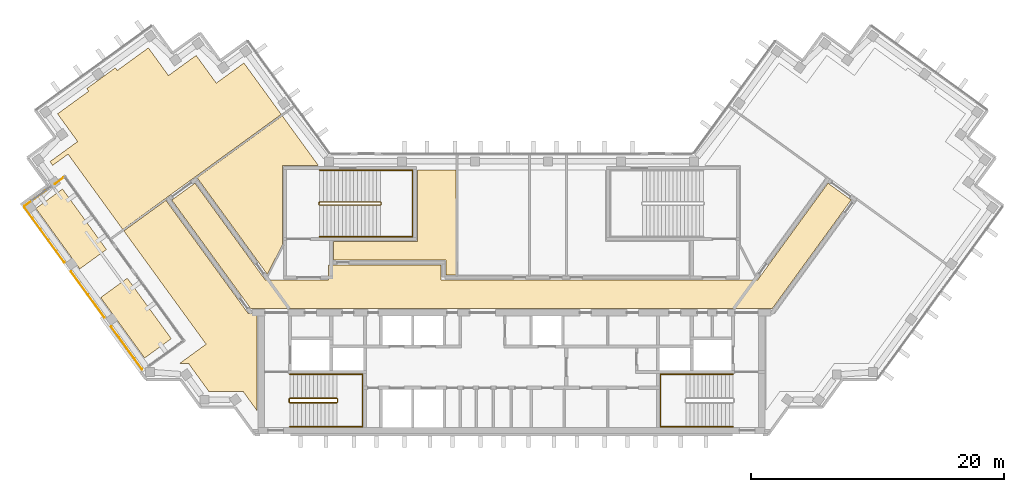
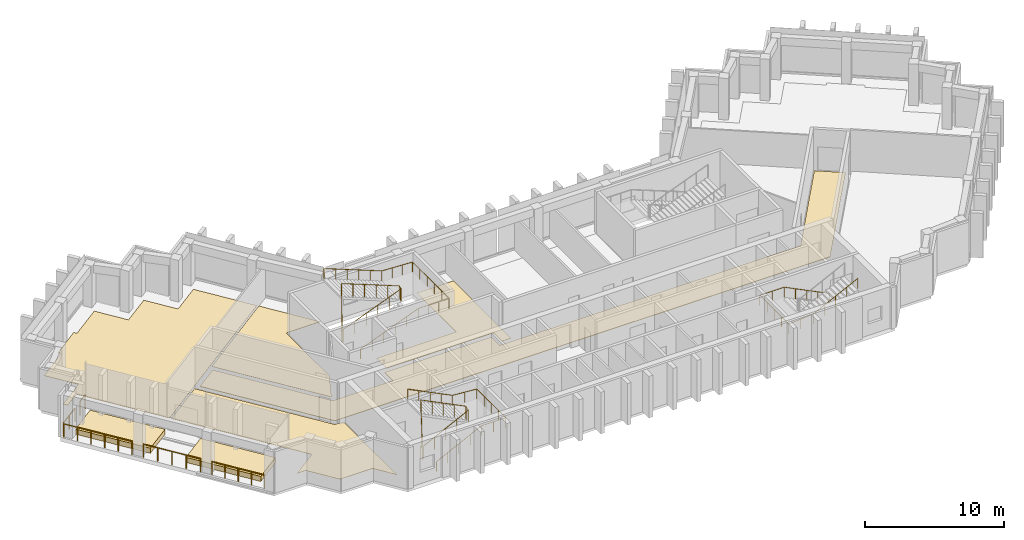
# One storey, part 9 of 10: 10 railings, 7 coverings.
"""IFC4 building model written with IfcOpenShell, lengths in metres."""

from ifc_helpers import new_model, si_unit, direction, frame, origin, origin_2d, place, context, subcontext, project, spatial, polyline, circle, outline, extrude, material, layer, layer_set, type_object, element, save


model = new_model("IFC4")

# Units and contexts
model_context = context("Model", 3, precision=1e-05, world=origin(), true_north=direction((0.0, 1.0)))
body_context = subcontext(model_context, "Body", "Model", "MODEL_VIEW")
ifc_project = project(units=[si_unit("LENGTHUNIT", "METRE"), si_unit("AREAUNIT", "SQUARE_METRE"), si_unit("VOLUMEUNIT", "CUBIC_METRE"), si_unit("PLANEANGLEUNIT", "RADIAN"), si_unit("MASSUNIT", "GRAM", prefix="KILO")], contexts=[model_context])

# Site, building, storey
site_placement = place(None, origin())
site = spatial("IfcSite", under=ifc_project, at=site_placement, CompositionType="ELEMENT")
building_placement = place(site_placement, origin())
building = spatial("IfcBuilding", under=site, at=building_placement, Name="Quipu Civic Tower", CompositionType="ELEMENT")
storey_placement = place(building_placement, frame((0.0, 0.0, 261.0)))
storey = spatial("IfcBuildingStorey", under=building, at=storey_placement, Name="L61", CompositionType="ELEMENT", Elevation=261.0)

# Coverings
ifc_material_1 = material(Name="Carpet tile on raised access floor")
ifc_layer_1 = layer(ifc_material_1, 0.02001953125)
ifc_layer_set_1 = layer_set([ifc_layer_1], Name="Carpet tile on raised access floor")
covering_type_1 = type_object("IfcCoveringType", Name="Carpet tile floor finish 20", PredefinedType="FLOORING", material=ifc_layer_set_1)
covering_1_placement = place(storey_placement, origin())
element("IfcCovering", 1, at=covering_1_placement, inside=storey, type_object=covering_type_1, Name="Carpet tile floor finish 20", PredefinedType="FLOORING", context=body_context, shape_type="SweptSolid", body=[
    extrude(outline(polyline([(-24.81201171875, 9.2109375), (-18.089111328125, 14.093994140625), (-15.238037109375, 10.169921875), (-18.070068359375, 10.1689453125), (-18.070068359375, 3.94189453125), (-19.27197265625, 1.583984375), (-24.81201171875, 9.2109375)])), origin(), (0.0, 0.0, 1.0), 0.02001953125),
])
covering_2_placement = place(storey_placement, origin())
element("IfcCovering", 2, at=covering_2_placement, inside=storey, type_object=covering_type_1, Name="Carpet tile floor finish 20", PredefinedType="FLOORING", context=body_context, shape_type="SweptSolid", body=[
    extrude(outline(polyline([(-36.425048828125, 10.47705078125), (-34.240966796875, 12.06396484375), (-35.826904296875, 14.248046875), (-33.3701171875, 16.032958984375), (-33.52197265625, 16.2451171875), (-31.27099609375, 17.8798828125), (-31.116943359375, 17.6708984375), (-28.658935546875, 19.455078125), (-27.073974609375, 17.27197265625), (-24.887939453125, 18.85791015625), (-23.301025390625, 16.675048828125), (-21.116943359375, 18.260986328125), (-18.172119140625, 14.20703125), (-30.679931640625, 5.12109375), (-34.998046875, 11.06591796875), (-36.212890625, 10.18603515625), (-36.425048828125, 10.47705078125)])), origin(), (0.0, 0.0, 1.0), 0.02001953125),
])
covering_3_placement = place(storey_placement, origin())
element("IfcCovering", 3, at=covering_3_placement, inside=storey, type_object=covering_type_1, Name="Carpet tile floor finish 20", PredefinedType="FLOORING", context=body_context, shape_type="SweptSolid", body=[
    extrude(outline(polyline([(-14.030029296875, 2.719970703125), (-14.030029296875, 4.179931640625), (-7.430908203125, 4.179931640625), (-7.429931640625, 9.830078125), (-4.388916015625, 9.830078125), (-4.388916015625, 1.52001953125), (-5.179931640625, 1.52001953125), (-5.181884765625, 2.719970703125), (-14.030029296875, 2.719970703125)])), origin(), (0.0, 0.0, 1.0), 0.02001953125),
])
covering_4_placement = place(storey_placement, origin())
element("IfcCovering", 4, at=covering_4_placement, inside=storey, type_object=covering_type_1, Name="Carpet tile floor finish 20", PredefinedType="FLOORING", context=body_context, shape_type="SweptSolid", body=[
    extrude(outline(polyline([(-30.596923828125, 5.008056640625), (-27.27197265625, 7.423095703125), (-20.77490234375, -1.51904296875), (-20.070068359375, -1.52001953125), (-20.070068359375, -9.195068359375), (-21.195068359375, -7.64599609375), (-23.89501953125, -7.64599609375), (-25.48193359375, -5.4619140625), (-26.20703125, -5.4609375), (-24.10302734375, -3.929931640625), (-30.596923828125, 5.008056640625)])), origin(), (0.0, 0.0, 1.0), 0.02001953125),
])
ifc_material_2 = material(Name="Planting soil on drainage board")
ifc_layer_2 = layer(ifc_material_2, 0.449951171875)
ifc_layer_set_2 = layer_set([ifc_layer_2], Name="Planting soil on drainage board")
covering_type_2 = type_object("IfcCoveringType", Name="Planted terrace build-up", PredefinedType="FLOORING", material=ifc_layer_set_2)
covering_5_placement = place(storey_placement, origin())
element("IfcCovering", 5, at=covering_5_placement, inside=storey, type_object=covering_type_2, Name="Planted terrace L61 bed 1", PredefinedType="FLOORING", context=body_context, shape_type="SweptSolid", body=[
    extrude(outline(polyline([(-37.5390625, 6.787109375), (-35.435546875, 8.315185546875), (-31.967529296875, 3.5419921875), (-34.071044921875, 2.013916015625), (-37.5390625, 6.787109375)])), origin(), (0.0, 0.0, 1.0), 0.449951171875),
])
covering_6_placement = place(storey_placement, origin())
element("IfcCovering", 6, at=covering_6_placement, inside=storey, type_object=covering_type_2, Name="Planted terrace L61 bed 2", PredefinedType="FLOORING", context=body_context, shape_type="SweptSolid", body=[
    extrude(outline(polyline([(-32.42529296875, -0.25146484375), (-30.32177734375, 1.27685546875), (-26.85400390625, -3.496337890625), (-28.957275390625, -5.024658203125), (-32.42529296875, -0.25146484375)])), origin(), (0.0, 0.0, 1.0), 0.449951171875),
])

# Railings
ifc_material_3 = material(Name="Stainless steel", Category="steel")
railing_type_1 = type_object("IfcRailingType", Name="Stair guard 1100", PredefinedType="GUARDRAIL", material=ifc_material_3)
railing_1_placement = place(storey_placement, frame((-17.5, -8.550048828125, 0.15380859375)))
element("IfcRailing", 7, at=railing_1_placement, inside=storey, type_object=railing_type_1, Name="Stair 1 guard", PredefinedType="GUARDRAIL", context=body_context, shape_type="SweptSolid", body=[
    extrude(circle(Radius=0.02392578125, at=origin_2d()), frame((0.0, 0.0, 1.076171875), z_axis=(0.895751851347, 0.0, 0.444554407028), x_axis=(0.0, 1.0, 0.0)), (0.0, 0.0, 1.0), 4.15283203125),
    extrude(circle(Radius=0.02392578125, at=origin_2d()), frame((3.719970703125, 0.0, 2.92236328125), z_axis=(0.707106781187, 0.707106781187, 0.0), x_axis=(-0.707106781187, 0.707106781187, 0.0)), (0.0, 0.0, 1.0), 0.07080078125),
    extrude(circle(Radius=0.02392578125, at=origin_2d()), frame((3.77001953125, 0.050048828125, 2.92236328125), z_axis=(0.0, 1.0, 0.0), x_axis=(-1.0, 0.0, 0.0)), (0.0, 0.0, 1.0), 0.25),
    extrude(circle(Radius=0.02392578125, at=origin_2d()), frame((3.77001953125, 0.300048828125, 2.92236328125), z_axis=(-0.295599637079, 0.295599637079, 0.908428152975), x_axis=(-0.707106781187, -0.707106781187, 0.0)), (0.0, 0.0, 1.0), 0.16943359375),
    extrude(circle(Radius=0.02392578125, at=origin_2d()), frame((3.719970703125, 0.35009765625, 3.076171875), z_axis=(-0.895751851347, 0.0, 0.444554407028), x_axis=(0.0, -1.0, 0.0)), (0.0, 0.0, 1.0), 4.15283203125),
    extrude(circle(Radius=0.02392578125, at=origin_2d()), frame((0.0, 0.35009765625, 4.92236328125), z_axis=(-0.012476181752, -0.074796231092, -0.997120789425), x_axis=(0.986372223864, -0.164529134168, 0.0)), (0.0, 0.0, 1.0), 4.011474609375),
    extrude(circle(Radius=0.02392578125, at=origin_2d()), frame((-0.050048828125, 0.050048828125, 0.92236328125), z_axis=(0.0, 1.0, 0.0), x_axis=(-1.0, 0.0, 0.0)), (0.0, 0.0, 1.0), 0.25),
    extrude(circle(Radius=0.02099609375, at=origin_2d()), origin(), (0.0, 0.0, 1.0), 1.052001953125),
    extrude(circle(Radius=0.02099609375, at=origin_2d()), frame((0.929931640625, 0.0, 0.46142578125)), (0.0, 0.0, 1.0), 1.052001953125),
    extrude(circle(Radius=0.02099609375, at=origin_2d()), frame((1.85986328125, 0.0, 0.923095703125)), (0.0, 0.0, 1.0), 1.052001953125),
    extrude(circle(Radius=0.02099609375, at=origin_2d()), frame((2.7900390625, 0.0, 1.384765625)), (0.0, 0.0, 1.0), 1.052001953125),
    extrude(circle(Radius=0.02099609375, at=origin_2d()), frame((3.719970703125, 0.0, 1.84619140625)), (0.0, 0.0, 1.0), 1.052001953125),
    extrude(circle(Radius=0.02099609375, at=origin_2d()), frame((3.77001953125, 0.050048828125, 1.84619140625)), (0.0, 0.0, 1.0), 1.052001953125),
    extrude(circle(Radius=0.02099609375, at=origin_2d()), frame((3.77001953125, 0.300048828125, 1.84619140625)), (0.0, 0.0, 1.0), 1.052001953125),
    extrude(circle(Radius=0.02099609375, at=origin_2d()), frame((3.719970703125, 0.35009765625, 2.0)), (0.0, 0.0, 1.0), 1.052001953125),
    extrude(circle(Radius=0.02099609375, at=origin_2d()), frame((2.7900390625, 0.35009765625, 2.46142578125)), (0.0, 0.0, 1.0), 1.052001953125),
    extrude(circle(Radius=0.02099609375, at=origin_2d()), frame((1.85986328125, 0.35009765625, 2.923095703125)), (0.0, 0.0, 1.0), 1.052001953125),
    extrude(circle(Radius=0.02099609375, at=origin_2d()), frame((0.929931640625, 0.35009765625, 3.384765625)), (0.0, 0.0, 1.0), 1.052001953125),
    extrude(circle(Radius=0.02099609375, at=origin_2d()), frame((0.0, 0.35009765625, 3.84619140625)), (0.0, 0.0, 1.0), 1.052001953125),
    extrude(circle(Radius=0.02099609375, at=origin_2d()), frame((-0.012451171875, 0.275146484375, 2.84619140625)), (0.0, 0.0, 1.0), 1.052001953125),
    extrude(circle(Radius=0.02099609375, at=origin_2d()), frame((-0.02490234375, 0.2001953125, 1.84619140625)), (0.0, 0.0, 1.0), 1.052001953125),
    extrude(circle(Radius=0.02099609375, at=origin_2d()), frame((-0.03759765625, 0.125, 0.84619140625)), (0.0, 0.0, 1.0), 1.052001953125),
    extrude(circle(Radius=0.02099609375, at=origin_2d()), frame((-0.050048828125, 0.050048828125, -0.15380859375)), (0.0, 0.0, 1.0), 1.052001953125),
    extrude(circle(Radius=0.02099609375, at=origin_2d()), frame((-0.050048828125, 0.300048828125, -0.15380859375)), (0.0, 0.0, 1.0), 1.052001953125),
])
railing_2_placement = place(storey_placement, frame((-15.14990234375, 7.050048828125, 0.11767578125)))
element("IfcRailing", 8, at=railing_2_placement, inside=storey, type_object=railing_type_1, Name="Stair 3 guard", PredefinedType="GUARDRAIL", context=body_context, shape_type="SweptSolid", body=[
    extrude(circle(Radius=0.02392578125, at=origin_2d()), frame((0.0, 0.0, 1.076171875), z_axis=(0.930970042603, 0.0, 0.365095576219), x_axis=(0.0, 1.0, 0.0)), (0.0, 0.0, 1.0), 5.15576171875),
    extrude(circle(Radius=0.02392578125, at=origin_2d()), frame((4.7998046875, 0.0, 2.95849609375), z_axis=(0.707106781187, 0.707106781187, 0.0), x_axis=(-0.707106781187, 0.707106781187, 0.0)), (0.0, 0.0, 1.0), 0.07080078125),
    extrude(circle(Radius=0.02392578125, at=origin_2d()), frame((4.849853515625, 0.050048828125, 2.95849609375), z_axis=(0.0, 1.0, 0.0), x_axis=(-1.0, 0.0, 0.0)), (0.0, 0.0, 1.0), 0.14990234375),
    extrude(circle(Radius=0.02392578125, at=origin_2d()), frame((4.849853515625, 0.199951171875, 2.95849609375), z_axis=(-0.364463019033, 0.364463019033, 0.856932561824), x_axis=(-0.707106781187, -0.707106781187, 0.0)), (0.0, 0.0, 1.0), 0.13720703125),
    extrude(circle(Radius=0.02392578125, at=origin_2d()), frame((4.7998046875, 0.25, 3.076171875), z_axis=(-0.930970042603, 0.0, 0.365095576219), x_axis=(0.0, -1.0, 0.0)), (0.0, 0.0, 1.0), 5.15576171875),
    extrude(circle(Radius=0.02392578125, at=origin_2d()), frame((0.0, 0.25, 4.95849609375), z_axis=(-0.012495627992, -0.049921557685, -0.998674970829), x_axis=(0.970072785993, -0.242814311512, 0.0)), (0.0, 0.0, 1.0), 4.00537109375),
    extrude(circle(Radius=0.02392578125, at=origin_2d()), frame((-0.050048828125, 0.050048828125, 0.95849609375), z_axis=(0.0, 1.0, 0.0), x_axis=(-1.0, 0.0, 0.0)), (0.0, 0.0, 1.0), 0.14990234375),
    extrude(circle(Radius=0.02099609375, at=origin_2d()), origin(), (0.0, 0.0, 1.0), 1.052001953125),
    extrude(circle(Radius=0.02099609375, at=origin_2d()), frame((0.9599609375, 0.0, 0.37646484375)), (0.0, 0.0, 1.0), 1.052001953125),
    extrude(circle(Radius=0.02099609375, at=origin_2d()), frame((1.919921875, 0.0, 0.7529296875)), (0.0, 0.0, 1.0), 1.052001953125),
    extrude(circle(Radius=0.02099609375, at=origin_2d()), frame((2.8798828125, 0.0, 1.12939453125)), (0.0, 0.0, 1.0), 1.052001953125),
    extrude(circle(Radius=0.02099609375, at=origin_2d()), frame((3.83984375, 0.0, 1.505859375)), (0.0, 0.0, 1.0), 1.052001953125),
    extrude(circle(Radius=0.02099609375, at=origin_2d()), frame((4.7998046875, 0.0, 1.88232421875)), (0.0, 0.0, 1.0), 1.052001953125),
    extrude(circle(Radius=0.02099609375, at=origin_2d()), frame((4.849853515625, 0.050048828125, 1.88232421875)), (0.0, 0.0, 1.0), 1.052001953125),
    extrude(circle(Radius=0.02099609375, at=origin_2d()), frame((4.849853515625, 0.199951171875, 1.88232421875)), (0.0, 0.0, 1.0), 1.052001953125),
    extrude(circle(Radius=0.02099609375, at=origin_2d()), frame((4.7998046875, 0.25, 2.0)), (0.0, 0.0, 1.0), 1.052001953125),
    extrude(circle(Radius=0.02099609375, at=origin_2d()), frame((3.83984375, 0.25, 2.37646484375)), (0.0, 0.0, 1.0), 1.052001953125),
    extrude(circle(Radius=0.02099609375, at=origin_2d()), frame((2.8798828125, 0.25, 2.7529296875)), (0.0, 0.0, 1.0), 1.052001953125),
    extrude(circle(Radius=0.02099609375, at=origin_2d()), frame((1.919921875, 0.25, 3.12939453125)), (0.0, 0.0, 1.0), 1.052001953125),
    extrude(circle(Radius=0.02099609375, at=origin_2d()), frame((0.9599609375, 0.25, 3.505859375)), (0.0, 0.0, 1.0), 1.052001953125),
    extrude(circle(Radius=0.02099609375, at=origin_2d()), frame((0.0, 0.25, 3.88232421875)), (0.0, 0.0, 1.0), 1.052001953125),
    extrude(circle(Radius=0.02099609375, at=origin_2d()), frame((-0.012451171875, 0.199951171875, 2.88232421875)), (0.0, 0.0, 1.0), 1.052001953125),
    extrude(circle(Radius=0.02099609375, at=origin_2d()), frame((-0.02490234375, 0.14990234375, 1.88232421875)), (0.0, 0.0, 1.0), 1.052001953125),
    extrude(circle(Radius=0.02099609375, at=origin_2d()), frame((-0.03759765625, 0.10009765625, 0.88232421875)), (0.0, 0.0, 1.0), 1.052001953125),
    extrude(circle(Radius=0.02099609375, at=origin_2d()), frame((-0.050048828125, 0.050048828125, -0.11767578125)), (0.0, 0.0, 1.0), 1.052001953125),
    extrude(circle(Radius=0.02099609375, at=origin_2d()), frame((-0.050048828125, 0.199951171875, -0.11767578125)), (0.0, 0.0, 1.0), 1.052001953125),
])
ifc_material_4 = material(Name="Stainless steel", Category="steel")
railing_type_2 = type_object("IfcRailingType", Name="Stair handrail", PredefinedType="HANDRAIL", material=ifc_material_4)
railing_3_placement = place(storey_placement, frame((-17.5, -10.449951171875, 0.15380859375)))
element("IfcRailing", 9, at=railing_3_placement, inside=storey, type_object=railing_type_2, Name="Stair 1 handrail", PredefinedType="HANDRAIL", context=body_context, shape_type="SweptSolid", body=[
    extrude(circle(Radius=0.02392578125, at=origin_2d()), frame((0.0, 0.0, 0.8759765625), z_axis=(0.895751851347, 0.0, 0.444554407028), x_axis=(0.0, 1.0, 0.0)), (0.0, 0.0, 1.0), 4.15283203125),
    extrude(circle(Radius=0.02392578125, at=origin_2d()), frame((3.719970703125, 0.0, 2.72216796875), z_axis=(1.0, 0.0, 0.0), x_axis=(0.0, 1.0, 0.0)), (0.0, 0.0, 1.0), 2.030029296875),
    extrude(circle(Radius=0.02392578125, at=origin_2d()), frame((5.75, 0.0, 2.72216796875), z_axis=(0.0, 1.0, 0.0), x_axis=(-1.0, 0.0, 0.0)), (0.0, 0.0, 1.0), 4.14990234375),
    extrude(circle(Radius=0.02392578125, at=origin_2d()), frame((5.75, 4.14990234375, 2.72216796875), z_axis=(-0.997142003663, 0.0, 0.075550145798), x_axis=(0.0, -1.0, 0.0)), (0.0, 0.0, 1.0), 2.035888671875),
    extrude(circle(Radius=0.02392578125, at=origin_2d()), frame((3.719970703125, 4.14990234375, 2.8759765625), z_axis=(-0.895751851347, 0.0, 0.444554407028), x_axis=(0.0, -1.0, 0.0)), (0.0, 0.0, 1.0), 4.15283203125),
    extrude(circle(Radius=0.02099609375, at=origin_2d()), origin(), (0.0, 0.0, 1.0), 0.851806640625),
    extrude(circle(Radius=0.02099609375, at=origin_2d()), frame((0.929931640625, 0.0, 0.46142578125)), (0.0, 0.0, 1.0), 0.851806640625),
    extrude(circle(Radius=0.02099609375, at=origin_2d()), frame((1.85986328125, 0.0, 0.923095703125)), (0.0, 0.0, 1.0), 0.851806640625),
    extrude(circle(Radius=0.02099609375, at=origin_2d()), frame((2.7900390625, 0.0, 1.384765625)), (0.0, 0.0, 1.0), 0.851806640625),
    extrude(circle(Radius=0.02099609375, at=origin_2d()), frame((3.719970703125, 0.0, 1.84619140625)), (0.0, 0.0, 1.0), 0.851806640625),
    extrude(circle(Radius=0.02099609375, at=origin_2d()), frame((4.73486328125, 0.0, 1.84619140625)), (0.0, 0.0, 1.0), 0.851806640625),
    extrude(circle(Radius=0.02099609375, at=origin_2d()), frame((5.75, 0.0, 1.84619140625)), (0.0, 0.0, 1.0), 0.851806640625),
    extrude(circle(Radius=0.02099609375, at=origin_2d()), frame((5.75, 1.03759765625, 1.84619140625)), (0.0, 0.0, 1.0), 0.851806640625),
    extrude(circle(Radius=0.02099609375, at=origin_2d()), frame((5.75, 2.074951171875, 1.84619140625)), (0.0, 0.0, 1.0), 0.851806640625),
    extrude(circle(Radius=0.02099609375, at=origin_2d()), frame((5.75, 3.1123046875, 1.84619140625)), (0.0, 0.0, 1.0), 0.851806640625),
    extrude(circle(Radius=0.02099609375, at=origin_2d()), frame((5.75, 4.14990234375, 1.84619140625)), (0.0, 0.0, 1.0), 0.851806640625),
    extrude(circle(Radius=0.02099609375, at=origin_2d()), frame((4.73486328125, 4.14990234375, 1.923095703125)), (0.0, 0.0, 1.0), 0.851806640625),
    extrude(circle(Radius=0.02099609375, at=origin_2d()), frame((3.719970703125, 4.14990234375, 2.0)), (0.0, 0.0, 1.0), 0.851806640625),
    extrude(circle(Radius=0.02099609375, at=origin_2d()), frame((2.7900390625, 4.14990234375, 2.46142578125)), (0.0, 0.0, 1.0), 0.851806640625),
    extrude(circle(Radius=0.02099609375, at=origin_2d()), frame((1.85986328125, 4.14990234375, 2.923095703125)), (0.0, 0.0, 1.0), 0.851806640625),
    extrude(circle(Radius=0.02099609375, at=origin_2d()), frame((0.929931640625, 4.14990234375, 3.384765625)), (0.0, 0.0, 1.0), 0.851806640625),
    extrude(circle(Radius=0.02099609375, at=origin_2d()), frame((0.0, 4.14990234375, 3.84619140625)), (0.0, 0.0, 1.0), 0.851806640625),
])
railing_4_placement = place(storey_placement, frame((17.5, -6.300048828125, 0.15380859375)))
element("IfcRailing", 10, at=railing_4_placement, inside=storey, type_object=railing_type_2, Name="Stair 2 handrail", PredefinedType="HANDRAIL", context=body_context, shape_type="SweptSolid", body=[
    extrude(circle(Radius=0.02392578125, at=origin_2d()), frame((0.0, 0.0, 0.8759765625), z_axis=(-0.895751851347, 0.0, 0.444554407028), x_axis=(0.0, -1.0, 0.0)), (0.0, 0.0, 1.0), 4.15283203125),
    extrude(circle(Radius=0.02392578125, at=origin_2d()), frame((-3.719970703125, 0.0, 2.72216796875), z_axis=(-1.0, 0.0, 0.0), x_axis=(0.0, -1.0, 0.0)), (0.0, 0.0, 1.0), 2.030029296875),
    extrude(circle(Radius=0.02392578125, at=origin_2d()), frame((-5.75, 0.0, 2.72216796875), z_axis=(0.0, -1.0, 0.0), x_axis=(1.0, 0.0, 0.0)), (0.0, 0.0, 1.0), 4.14990234375),
    extrude(circle(Radius=0.02392578125, at=origin_2d()), frame((-5.75, -4.14990234375, 2.72216796875), z_axis=(0.997142003663, 0.0, 0.075550145798), x_axis=(0.0, 1.0, 0.0)), (0.0, 0.0, 1.0), 2.035888671875),
    extrude(circle(Radius=0.02392578125, at=origin_2d()), frame((-3.719970703125, -4.14990234375, 2.8759765625), z_axis=(0.895751851347, 0.0, 0.444554407028), x_axis=(0.0, 1.0, 0.0)), (0.0, 0.0, 1.0), 4.15283203125),
    extrude(circle(Radius=0.02099609375, at=origin_2d()), origin(), (0.0, 0.0, 1.0), 0.851806640625),
    extrude(circle(Radius=0.02099609375, at=origin_2d()), frame((-0.929931640625, 0.0, 0.46142578125)), (0.0, 0.0, 1.0), 0.851806640625),
    extrude(circle(Radius=0.02099609375, at=origin_2d()), frame((-1.85986328125, 0.0, 0.923095703125)), (0.0, 0.0, 1.0), 0.851806640625),
    extrude(circle(Radius=0.02099609375, at=origin_2d()), frame((-2.7900390625, 0.0, 1.384765625)), (0.0, 0.0, 1.0), 0.851806640625),
    extrude(circle(Radius=0.02099609375, at=origin_2d()), frame((-3.719970703125, 0.0, 1.84619140625)), (0.0, 0.0, 1.0), 0.851806640625),
    extrude(circle(Radius=0.02099609375, at=origin_2d()), frame((-4.73486328125, 0.0, 1.84619140625)), (0.0, 0.0, 1.0), 0.851806640625),
    extrude(circle(Radius=0.02099609375, at=origin_2d()), frame((-5.75, 0.0, 1.84619140625)), (0.0, 0.0, 1.0), 0.851806640625),
    extrude(circle(Radius=0.02099609375, at=origin_2d()), frame((-5.75, -1.03759765625, 1.84619140625)), (0.0, 0.0, 1.0), 0.851806640625),
    extrude(circle(Radius=0.02099609375, at=origin_2d()), frame((-5.75, -2.074951171875, 1.84619140625)), (0.0, 0.0, 1.0), 0.851806640625),
    extrude(circle(Radius=0.02099609375, at=origin_2d()), frame((-5.75, -3.1123046875, 1.84619140625)), (0.0, 0.0, 1.0), 0.851806640625),
    extrude(circle(Radius=0.02099609375, at=origin_2d()), frame((-5.75, -4.14990234375, 1.84619140625)), (0.0, 0.0, 1.0), 0.851806640625),
    extrude(circle(Radius=0.02099609375, at=origin_2d()), frame((-4.73486328125, -4.14990234375, 1.923095703125)), (0.0, 0.0, 1.0), 0.851806640625),
    extrude(circle(Radius=0.02099609375, at=origin_2d()), frame((-3.719970703125, -4.14990234375, 2.0)), (0.0, 0.0, 1.0), 0.851806640625),
    extrude(circle(Radius=0.02099609375, at=origin_2d()), frame((-2.7900390625, -4.14990234375, 2.46142578125)), (0.0, 0.0, 1.0), 0.851806640625),
    extrude(circle(Radius=0.02099609375, at=origin_2d()), frame((-1.85986328125, -4.14990234375, 2.923095703125)), (0.0, 0.0, 1.0), 0.851806640625),
    extrude(circle(Radius=0.02099609375, at=origin_2d()), frame((-0.929931640625, -4.14990234375, 3.384765625)), (0.0, 0.0, 1.0), 0.851806640625),
    extrude(circle(Radius=0.02099609375, at=origin_2d()), frame((0.0, -4.14990234375, 3.84619140625)), (0.0, 0.0, 1.0), 0.851806640625),
])
railing_5_placement = place(storey_placement, frame((-15.14990234375, 4.550048828125, 0.11767578125)))
element("IfcRailing", 11, at=railing_5_placement, inside=storey, type_object=railing_type_2, Name="Stair 3 handrail", PredefinedType="HANDRAIL", context=body_context, shape_type="SweptSolid", body=[
    extrude(circle(Radius=0.02392578125, at=origin_2d()), frame((0.0, 0.0, 0.8759765625), z_axis=(0.930970042603, 0.0, 0.365095576219), x_axis=(0.0, 1.0, 0.0)), (0.0, 0.0, 1.0), 5.15576171875),
    extrude(circle(Radius=0.02392578125, at=origin_2d()), frame((4.7998046875, 0.0, 2.75830078125), z_axis=(1.0, 0.0, 0.0), x_axis=(0.0, 1.0, 0.0)), (0.0, 0.0, 1.0), 2.550048828125),
    extrude(circle(Radius=0.02392578125, at=origin_2d()), frame((7.349853515625, 0.0, 2.75830078125), z_axis=(0.0, 1.0, 0.0), x_axis=(-1.0, 0.0, 0.0)), (0.0, 0.0, 1.0), 5.25),
    extrude(circle(Radius=0.02392578125, at=origin_2d()), frame((7.349853515625, 5.25, 2.75830078125), z_axis=(-0.998936948642, 0.0, 0.04609742549), x_axis=(0.0, -1.0, 0.0)), (0.0, 0.0, 1.0), 2.552734375),
    extrude(circle(Radius=0.02392578125, at=origin_2d()), frame((4.7998046875, 5.25, 2.8759765625), z_axis=(-0.930970042603, 0.0, 0.365095576219), x_axis=(0.0, -1.0, 0.0)), (0.0, 0.0, 1.0), 5.15576171875),
    extrude(circle(Radius=0.02099609375, at=origin_2d()), origin(), (0.0, 0.0, 1.0), 0.851806640625),
    extrude(circle(Radius=0.02099609375, at=origin_2d()), frame((0.9599609375, 0.0, 0.37646484375)), (0.0, 0.0, 1.0), 0.851806640625),
    extrude(circle(Radius=0.02099609375, at=origin_2d()), frame((1.919921875, 0.0, 0.7529296875)), (0.0, 0.0, 1.0), 0.851806640625),
    extrude(circle(Radius=0.02099609375, at=origin_2d()), frame((2.8798828125, 0.0, 1.12939453125)), (0.0, 0.0, 1.0), 0.851806640625),
    extrude(circle(Radius=0.02099609375, at=origin_2d()), frame((3.83984375, 0.0, 1.505859375)), (0.0, 0.0, 1.0), 0.851806640625),
    extrude(circle(Radius=0.02099609375, at=origin_2d()), frame((4.7998046875, 0.0, 1.88232421875)), (0.0, 0.0, 1.0), 0.851806640625),
    extrude(circle(Radius=0.02099609375, at=origin_2d()), frame((5.64990234375, 0.0, 1.88232421875)), (0.0, 0.0, 1.0), 0.851806640625),
    extrude(circle(Radius=0.02099609375, at=origin_2d()), frame((6.499755859375, 0.0, 1.88232421875)), (0.0, 0.0, 1.0), 0.851806640625),
    extrude(circle(Radius=0.02099609375, at=origin_2d()), frame((7.349853515625, 0.0, 1.88232421875)), (0.0, 0.0, 1.0), 0.851806640625),
    extrude(circle(Radius=0.02099609375, at=origin_2d()), frame((7.349853515625, 1.050048828125, 1.88232421875)), (0.0, 0.0, 1.0), 0.851806640625),
    extrude(circle(Radius=0.02099609375, at=origin_2d()), frame((7.349853515625, 2.10009765625, 1.88232421875)), (0.0, 0.0, 1.0), 0.851806640625),
    extrude(circle(Radius=0.02099609375, at=origin_2d()), frame((7.349853515625, 3.14990234375, 1.88232421875)), (0.0, 0.0, 1.0), 0.851806640625),
    extrude(circle(Radius=0.02099609375, at=origin_2d()), frame((7.349853515625, 4.199951171875, 1.88232421875)), (0.0, 0.0, 1.0), 0.851806640625),
    extrude(circle(Radius=0.02099609375, at=origin_2d()), frame((7.349853515625, 5.25, 1.88232421875)), (0.0, 0.0, 1.0), 0.851806640625),
    extrude(circle(Radius=0.02099609375, at=origin_2d()), frame((6.499755859375, 5.25, 1.921630859375)), (0.0, 0.0, 1.0), 0.851806640625),
    extrude(circle(Radius=0.02099609375, at=origin_2d()), frame((5.64990234375, 5.25, 1.960693359375)), (0.0, 0.0, 1.0), 0.851806640625),
    extrude(circle(Radius=0.02099609375, at=origin_2d()), frame((4.7998046875, 5.25, 2.0)), (0.0, 0.0, 1.0), 0.851806640625),
    extrude(circle(Radius=0.02099609375, at=origin_2d()), frame((3.83984375, 5.25, 2.37646484375)), (0.0, 0.0, 1.0), 0.851806640625),
    extrude(circle(Radius=0.02099609375, at=origin_2d()), frame((2.8798828125, 5.25, 2.7529296875)), (0.0, 0.0, 1.0), 0.851806640625),
    extrude(circle(Radius=0.02099609375, at=origin_2d()), frame((1.919921875, 5.25, 3.12939453125)), (0.0, 0.0, 1.0), 0.851806640625),
    extrude(circle(Radius=0.02099609375, at=origin_2d()), frame((0.9599609375, 5.25, 3.505859375)), (0.0, 0.0, 1.0), 0.851806640625),
    extrude(circle(Radius=0.02099609375, at=origin_2d()), frame((0.0, 5.25, 3.88232421875)), (0.0, 0.0, 1.0), 0.851806640625),
])
ifc_material_5 = material(Name="Steel S275", Category="steel")
railing_type_3 = type_object("IfcRailingType", Name="Terrace guard G1", PredefinedType="GUARDRAIL", material=ifc_material_5)
railing_6_placement = place(storey_placement, frame((-35.349853515625, 9.218017578125, 0.0)))
element("IfcRailing", 12, at=railing_6_placement, inside=storey, type_object=railing_type_3, Name="Terrace guard L61.1", PredefinedType="GUARDRAIL", context=body_context, shape_type="SweptSolid", body=[
    extrude(circle(Radius=0.02490234375, at=origin_2d()), frame((0.0, 0.0, 1.1748046875), z_axis=(-0.809009310944, -0.587795827483, 0.0), x_axis=(0.587795827483, -0.809009310944, 0.0)), (0.0, 0.0, 1.0), 0.849853515625),
    extrude(circle(Radius=0.02490234375, at=origin_2d()), origin(), (0.0, 0.0, 1.0), 1.14990234375),
    extrude(circle(Radius=0.02490234375, at=origin_2d()), frame((-0.6875, -0.49951171875, 0.0)), (0.0, 0.0, 1.0), 1.14990234375),
])
railing_7_placement = place(storey_placement, frame((-36.765625, 8.189453125, 0.0)))
element("IfcRailing", 13, at=railing_7_placement, inside=storey, type_object=railing_type_3, Name="Terrace guard L61.2", PredefinedType="GUARDRAIL", context=body_context, shape_type="SweptSolid", body=[
    extrude(circle(Radius=0.02490234375, at=origin_2d()), frame((0.0, 0.0, 1.1748046875), z_axis=(-0.808983206573, -0.587831754401, 0.0), x_axis=(0.587831754401, -0.808983206573, 0.0)), (0.0, 0.0, 1.0), 2.050048828125),
    extrude(circle(Radius=0.02490234375, at=origin_2d()), origin(), (0.0, 0.0, 1.0), 1.14990234375),
    extrude(circle(Radius=0.02490234375, at=origin_2d()), frame((-0.8291015625, -0.6025390625, 0.0)), (0.0, 0.0, 1.0), 1.14990234375),
    extrude(circle(Radius=0.02490234375, at=origin_2d()), frame((-1.658447265625, -1.205078125, 0.0)), (0.0, 0.0, 1.0), 1.14990234375),
])
railing_8_placement = place(storey_placement, frame((-38.441650390625, 6.872802734375, 0.0)))
element("IfcRailing", 14, at=railing_8_placement, inside=storey, type_object=railing_type_3, Name="Terrace guard L61.3", PredefinedType="GUARDRAIL", context=body_context, shape_type="SweptSolid", body=[
    extrude(circle(Radius=0.02490234375, at=origin_2d()), frame((0.0, 0.0, 1.1748046875), z_axis=(0.587762255175, -0.809033702259, 0.0), x_axis=(0.809033702259, 0.587762255175, 0.0)), (0.0, 0.0, 1.0), 5.3544921875),
    extrude(circle(Radius=0.02490234375, at=origin_2d()), origin(), (0.0, 0.0, 1.0), 1.14990234375),
    extrude(circle(Radius=0.02490234375, at=origin_2d()), frame((0.62939453125, -0.866455078125, 0.0)), (0.0, 0.0, 1.0), 1.14990234375),
    extrude(circle(Radius=0.02490234375, at=origin_2d()), frame((1.2587890625, -1.73291015625, 0.0)), (0.0, 0.0, 1.0), 1.14990234375),
    extrude(circle(Radius=0.02490234375, at=origin_2d()), frame((1.888427734375, -2.59912109375, 0.0)), (0.0, 0.0, 1.0), 1.14990234375),
    extrude(circle(Radius=0.02490234375, at=origin_2d()), frame((2.517822265625, -3.465576171875, 0.0)), (0.0, 0.0, 1.0), 1.14990234375),
    extrude(circle(Radius=0.02490234375, at=origin_2d()), frame((3.147216796875, -4.33203125, 0.0)), (0.0, 0.0, 1.0), 1.14990234375),
])
railing_9_placement = place(storey_placement, frame((-34.765380859375, 1.8125, 0.0)))
element("IfcRailing", 15, at=railing_9_placement, inside=storey, type_object=railing_type_3, Name="Terrace guard L61.4", PredefinedType="GUARDRAIL", context=body_context, shape_type="SweptSolid", body=[
    extrude(circle(Radius=0.02490234375, at=origin_2d()), frame((0.0, 0.0, 1.1748046875), z_axis=(0.587803872688, -0.809003465539, 0.0), x_axis=(0.809003465539, 0.587803872688, 0.0)), (0.0, 0.0, 1.0), 4.499755859375),
    extrude(circle(Radius=0.02490234375, at=origin_2d()), origin(), (0.0, 0.0, 1.0), 1.14990234375),
    extrude(circle(Radius=0.02490234375, at=origin_2d()), frame((0.6611328125, -0.91015625, 0.0)), (0.0, 0.0, 1.0), 1.14990234375),
    extrude(circle(Radius=0.02490234375, at=origin_2d()), frame((1.322509765625, -1.8203125, 0.0)), (0.0, 0.0, 1.0), 1.14990234375),
    extrude(circle(Radius=0.02490234375, at=origin_2d()), frame((1.98388671875, -2.730224609375, 0.0)), (0.0, 0.0, 1.0), 1.14990234375),
    extrude(circle(Radius=0.02490234375, at=origin_2d()), frame((2.64501953125, -3.640380859375, 0.0)), (0.0, 0.0, 1.0), 1.14990234375),
])
railing_10_placement = place(storey_placement, frame((-31.59130859375, -2.55615234375, 0.0)))
element("IfcRailing", 16, at=railing_10_placement, inside=storey, type_object=railing_type_3, Name="Terrace guard L61.5", PredefinedType="GUARDRAIL", context=body_context, shape_type="SweptSolid", body=[
    extrude(circle(Radius=0.02490234375, at=origin_2d()), frame((0.0, 0.0, 1.1748046875), z_axis=(0.587793418234, -0.809011061408, 0.0), x_axis=(0.809011061408, 0.587793418234, 0.0)), (0.0, 0.0, 1.0), 4.145263671875),
    extrude(circle(Radius=0.02490234375, at=origin_2d()), origin(), (0.0, 0.0, 1.0), 1.14990234375),
    extrude(circle(Radius=0.02490234375, at=origin_2d()), frame((0.609130859375, -0.83837890625, 0.0)), (0.0, 0.0, 1.0), 1.14990234375),
    extrude(circle(Radius=0.02490234375, at=origin_2d()), frame((1.21826171875, -1.6767578125, 0.0)), (0.0, 0.0, 1.0), 1.14990234375),
    extrude(circle(Radius=0.02490234375, at=origin_2d()), frame((1.827392578125, -2.51513671875, 0.0)), (0.0, 0.0, 1.0), 1.14990234375),
    extrude(circle(Radius=0.02490234375, at=origin_2d()), frame((2.4365234375, -3.353515625, 0.0)), (0.0, 0.0, 1.0), 1.14990234375),
])

# Covering
ifc_material_6 = material(Name="Terrazzo floor finish")
ifc_layer_3 = layer(ifc_material_6, 0.0400390625)
ifc_layer_set_3 = layer_set([ifc_layer_3], Name="Terrazzo floor finish")
covering_type_3 = type_object("IfcCoveringType", Name="Terrazzo floor finish 40", PredefinedType="FLOORING", material=ifc_layer_set_3)
covering_7_placement = place(storey_placement, origin())
element("IfcCovering", 17, at=covering_7_placement, inside=storey, type_object=covering_type_3, Name="Terrazzo floor finish 40", PredefinedType="FLOORING", context=body_context, shape_type="SweptSolid", body=[
    extrude(outline(polyline([(19.425048828125, 1.1298828125), (24.98095703125, 8.778076171875), (26.80908203125, 7.450927734375), (20.574951171875, -1.1298828125), (-20.574951171875, -1.1298828125), (-26.80908203125, 7.450927734375), (-24.98095703125, 8.778076171875), (-19.425048828125, 1.1298828125), (-14.429931640625, 1.1298828125), (-14.429931640625, 2.330078125), (-5.570068359375, 2.330078125), (-5.570068359375, 1.1298828125), (19.425048828125, 1.1298828125)])), origin(), (0.0, 0.0, 1.0), 0.0400390625),
])

save(model, "model.ifc")
